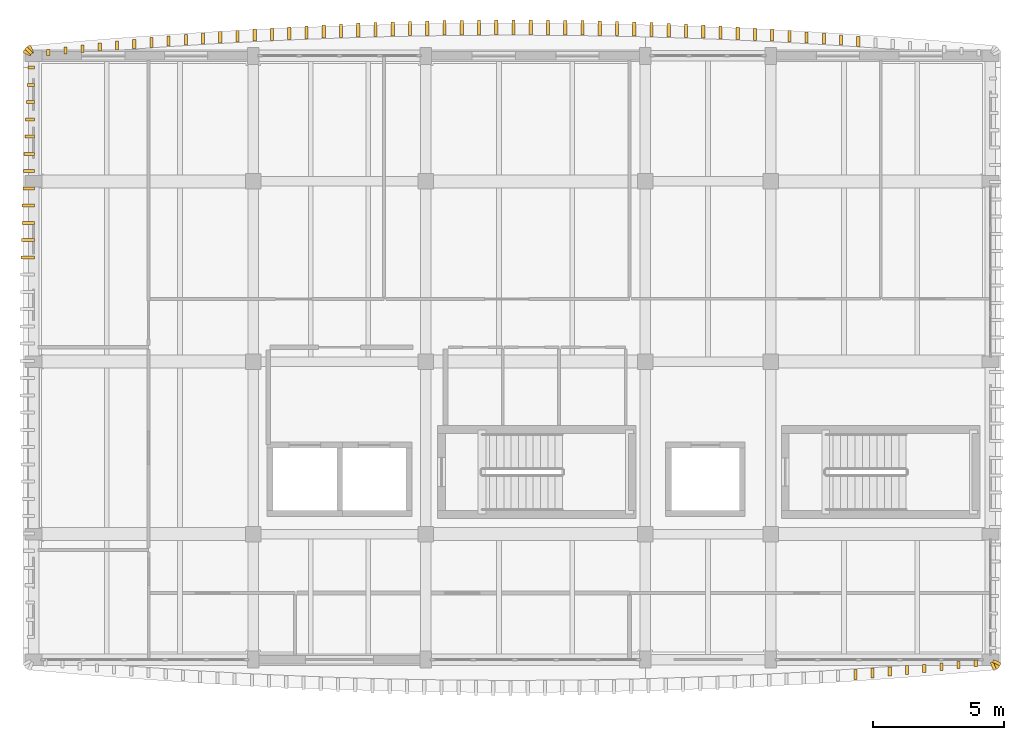
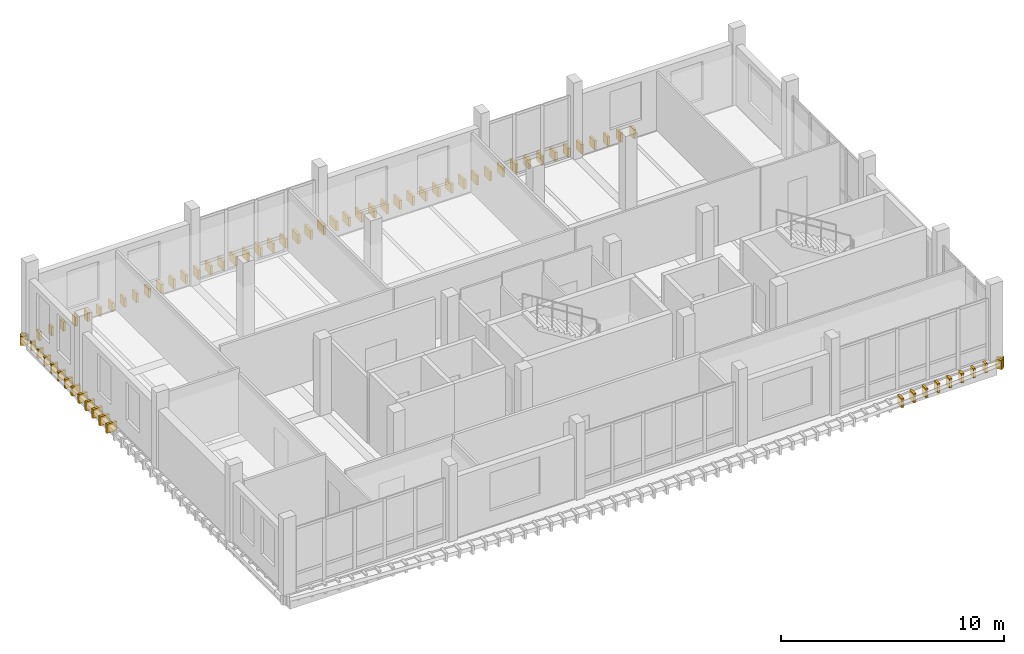
# One storey, part 15 of 16: 74 coverings.
"""IFC4 building model written with IfcOpenShell, lengths in metres."""

import ifcopenshell
import ifcopenshell.guid

model = None  # the IFC model being written
_history = None  # IfcOwnerHistory: only IFC2X3 demands one
_inside = {}  # id of a spatial element -> (the spatial element, [elements in it])
_under = {}  # id of a project, library or spatial element -> (it, [spatial elements below it])
_declared = {}  # id of a project -> (the project, [libraries it declares])
_typed = {}  # id of a type object -> (the type object, [elements of that type])
_made_of = {}  # id of a material, layer set ... -> (it, [elements and type objects made of it])


def new_model(schema):
    """Start an empty IFC model of exactly this schema.

    Asked for "IFC4X3", IfcOpenShell would pick the latest addendum, in which some entities
    have other attributes; the version numbers below select the first issue.
    IFC2X3 requires an IfcOwnerHistory on every rooted entity: one is made here for all.
    """
    global model, _history
    if schema == "IFC4X3":
        model = ifcopenshell.file(schema_version=(4, 3, 0, 0))
    else:
        model = ifcopenshell.file(schema=schema)
    _inside.clear()
    _under.clear()
    _declared.clear()
    _typed.clear()
    _made_of.clear()
    _history = None
    if model.schema == "IFC2X3":
        org = make("IfcOrganization", Name="unknown")
        user = make(
            "IfcPersonAndOrganization",
            ThePerson=make("IfcPerson", FamilyName="unknown"),
            TheOrganization=org,
        )
        app = make(
            "IfcApplication",
            ApplicationDeveloper=org,
            Version="unknown",
            ApplicationFullName="unknown",
            ApplicationIdentifier="unknown",
        )
        _history = make(
            "IfcOwnerHistory",
            OwningUser=user,
            OwningApplication=app,
            ChangeAction="ADDED",
            CreationDate=0,
        )
    return model


def make(cls, **values):
    """One entity of the class cls with the attributes given. An attribute that is None is left unset."""
    return model.create_entity(
        cls, **{name: value for name, value in values.items() if value is not None}
    )


def rooted(cls, **values):
    """An entity with a GlobalId (a new one), such as an element, a storey or a relation."""
    return make(cls, GlobalId=ifcopenshell.guid.new(), OwnerHistory=_history, **values)


def si_unit(unit_type, name, prefix=None):
    """IfcSIUnit, for example si_unit("LENGTHUNIT", "METRE", prefix="MILLI")."""
    return make("IfcSIUnit", UnitType=unit_type, Prefix=prefix, Name=name)


def assignment(units):
    """IfcUnitAssignment: the units of a project."""
    return None if units is None else make("IfcUnitAssignment", Units=units)


def point(xyz):
    """IfcCartesianPoint."""
    return None if xyz is None else make("IfcCartesianPoint", Coordinates=xyz)


def direction(xyz):
    """IfcDirection."""
    return None if xyz is None else make("IfcDirection", DirectionRatios=xyz)


def frame(location, z_axis=None, x_axis=None):
    """IfcAxis2Placement3D, a coordinate frame: its origin and axes. An axis left out is left unset."""
    return make(
        "IfcAxis2Placement3D",
        Location=point(location),
        Axis=direction(z_axis),
        RefDirection=direction(x_axis),
    )


def frame_2d(location, x_axis=None):
    """IfcAxis2Placement2D, a coordinate frame in the plane: its origin and x axis."""
    return make(
        "IfcAxis2Placement2D", Location=point(location), RefDirection=direction(x_axis)
    )


def origin():
    """The frame at (0, 0, 0) with its axes left unset."""
    return frame((0.0, 0.0, 0.0))


def origin_2d():
    """The frame at (0, 0) in the plane with its x axis left unset."""
    return frame_2d((0.0, 0.0))


def place(relative_to, where):
    """IfcLocalPlacement: puts the frame where relative to a parent placement (None: the world)."""
    return make(
        "IfcLocalPlacement", PlacementRelTo=relative_to, RelativePlacement=where
    )


def context(
    kind, dimensions, precision=None, world=None, true_north=None, identifier=None
):
    """IfcGeometricRepresentationContext, for example the 3D "Model" context."""
    return make(
        "IfcGeometricRepresentationContext",
        ContextIdentifier=identifier,
        ContextType=kind,
        CoordinateSpaceDimension=dimensions,
        Precision=precision,
        WorldCoordinateSystem=world,
        TrueNorth=true_north,
    )


def subcontext(parent, identifier, kind, view, scale=None):
    """IfcGeometricRepresentationSubContext, for example "Body" below "Model"."""
    return make(
        "IfcGeometricRepresentationSubContext",
        ContextIdentifier=identifier,
        ContextType=kind,
        ParentContext=parent,
        TargetScale=scale,
        TargetView=view,
    )


def project(units=None, contexts=None):
    """IfcProject with its units and contexts."""
    return rooted(
        "IfcProject",
        Name="project",
        RepresentationContexts=contexts,
        UnitsInContext=assignment(units),
    )


def spatial(cls, under=None, at=None, **own):
    """A site, building, storey or space (cls), placed at a placement, below another one or the project."""
    s = rooted(cls, ObjectPlacement=at, **own)
    if under is not None:
        _under.setdefault(under.id(), (under, []))[1].append(s)
    return s


def profile(cls, at=None, kind="AREA", **sizes):
    """A parametric profile (cls). Its sizes go by their IFC names, for example OverallWidth=200.0."""
    return make(cls, ProfileType=kind, Position=at, **sizes)


def rectangle(**sizes):
    """IfcRectangleProfileDef."""
    return profile("IfcRectangleProfileDef", **sizes)


def extrude(swept, where, along, depth):
    """IfcExtrudedAreaSolid: the profile swept, set in the frame where, extruded along a direction by depth."""
    return make(
        "IfcExtrudedAreaSolid",
        SweptArea=swept,
        Position=where,
        ExtrudedDirection=direction(along),
        Depth=depth,
    )


def shape(context_of_items, identifier, shape_type, items):
    """IfcShapeRepresentation: the items that make up one representation, for example the "Body"."""
    return make(
        "IfcShapeRepresentation",
        ContextOfItems=context_of_items,
        RepresentationIdentifier=identifier,
        RepresentationType=shape_type,
        Items=items,
    )


def material(Name=None, Category=None):
    """IfcMaterial."""
    return make("IfcMaterial", Name=Name, Category=Category)


def layer(
    of_material, thickness, ventilated=None, Name=None, Category=None, Priority=None
):
    """IfcMaterialLayer: one layer of a wall or slab, of a material (None: an air gap)."""
    return make(
        "IfcMaterialLayer",
        Material=of_material,
        LayerThickness=thickness,
        IsVentilated=ventilated,
        Name=Name,
        Category=Category,
        Priority=Priority,
    )


def layer_set(layers, Name=None):
    """IfcMaterialLayerSet."""
    return make("IfcMaterialLayerSet", MaterialLayers=layers, LayerSetName=Name)


def made_of(thing, what):
    """Note that an element or type object is made of a material, layer set ...; save() writes the relation."""
    if what is not None:
        _made_of.setdefault(what.id(), (what, []))[1].append(thing)
    return thing


def type_object(cls, material=None, **own):
    """A type object (cls), such as IfcWallType, which elements share."""
    return made_of(rooted(cls, **own), material)


def element(
    cls,
    number,
    at=None,
    inside=None,
    cuts=None,
    type_object=None,
    material=None,
    context=None,
    identifier="Body",
    shape_type=None,
    held_by="IfcProductDefinitionShape",
    body=None,
    shapes=None,
    **own,
):
    """One element of the class cls, such as IfcWall. Its Tag is "e" and its number.

    at: its placement. inside: the storey or other place that contains it. cuts: it is an
    opening in that element (IfcRelVoidsElement). A single representation is given by context,
    identifier, shape_type and body (its items); several are given by shapes. held_by: the class
    of the entity that holds the representations. save() writes the other relations.
    """
    e = rooted(cls, Tag="e%d" % number, ObjectPlacement=at, **own)
    if body is not None:
        shapes = [shape(context, identifier, shape_type, body)]
    if shapes is not None:
        e.Representation = make(held_by, Representations=shapes)
    if inside is not None:
        _inside.setdefault(inside.id(), (inside, []))[1].append(e)
    if cuts is not None:
        rooted(
            "IfcRelVoidsElement", RelatingBuildingElement=cuts, RelatedOpeningElement=e
        )
    if type_object is not None:
        _typed.setdefault(type_object.id(), (type_object, []))[1].append(e)
    return made_of(e, material)


def aggregate(whole, parts):
    """IfcRelAggregates: a whole, such as a stair, and the parts it consists of."""
    return rooted("IfcRelAggregates", RelatingObject=whole, RelatedObjects=parts)


def save(model, path):
    """Write the relations noted so far, then the file.

    IfcRelAggregates (storeys below a building ...), IfcRelContainedInSpatialStructure (elements
    in a storey), IfcRelDefinesByType, IfcRelAssociatesMaterial and IfcRelDeclares: one each for
    every whole, place, type object, material and project.
    """
    for whole, parts in _under.values():
        aggregate(whole, parts)
    for where, things in _inside.values():
        rooted(
            "IfcRelContainedInSpatialStructure",
            RelatedElements=things,
            RelatingStructure=where,
        )
    for kind, things in _typed.values():
        rooted("IfcRelDefinesByType", RelatedObjects=things, RelatingType=kind)
    for what, things in _made_of.values():
        rooted("IfcRelAssociatesMaterial", RelatedObjects=things, RelatingMaterial=what)
    for by, libraries in _declared.values():
        rooted("IfcRelDeclares", RelatingContext=by, RelatedDefinitions=libraries)
    model.write(path)


model = new_model("IFC4")

# Units and contexts
model_context = context("Model", 3, precision=1e-05, world=origin(), true_north=direction((0.0, 1.0)))
body_context = subcontext(model_context, "Body", "Model", "MODEL_VIEW")
ifc_project = project(units=[si_unit("LENGTHUNIT", "METRE"), si_unit("AREAUNIT", "SQUARE_METRE"), si_unit("VOLUMEUNIT", "CUBIC_METRE"), si_unit("PLANEANGLEUNIT", "RADIAN"), si_unit("MASSUNIT", "GRAM", prefix="KILO")], contexts=[model_context])

# Site, building, storey
site_placement = place(None, origin())
site = spatial("IfcSite", under=ifc_project, at=site_placement, CompositionType="ELEMENT")
building_placement = place(site_placement, origin())
building = spatial("IfcBuilding", under=site, at=building_placement, Name="Dornvale Research Institute", CompositionType="ELEMENT")
storey_placement = place(building_placement, frame((0.0, 0.0, 38.39990234375)))
storey = spatial("IfcBuildingStorey", under=building, at=storey_placement, Name="L08", CompositionType="ELEMENT", Elevation=38.39990234375)

# Coverings
ifc_material = material(Name="Polychrome Glazed Terracotta Visor Rib Ceramic", Category="masonry")
ifc_layer = layer(ifc_material, 0.1201171875)
ifc_layer_set = layer_set([ifc_layer], Name="Polychrome Glazed Terracotta Visor Rib Ceramic")
covering_type = type_object("IfcCoveringType", Name="Covering_VisorBlade_Main", PredefinedType="CLADDING", material=ifc_layer_set)
covering_1_placement = place(storey_placement, frame((36.23388671875, 98.43603515625, -0.489990234375), z_axis=(0.0, 0.0, 1.0), x_axis=(0.0, 1.0, 0.0)))
element("IfcCovering", 1, at=covering_1_placement, inside=storey, type_object=covering_type, Name="L08 V5 canted glazed terracotta visor blade #1392", PredefinedType="CLADDING", context=body_context, shape_type="SweptSolid", body=[
    extrude(rectangle(XDim=0.385009765625, YDim=0.1201171875, at=origin_2d()), origin(), (0.0, 0.0, 1.0), 0.5),
])
covering_2_placement = place(storey_placement, frame((36.892333984375, 98.49072265625, -0.489990234375), z_axis=(0.0, 0.0, 1.0), x_axis=(0.0, 1.0, 0.0)))
element("IfcCovering", 2, at=covering_2_placement, inside=storey, type_object=covering_type, Name="L08 V5 canted glazed terracotta visor blade #1393", PredefinedType="CLADDING", context=body_context, shape_type="SweptSolid", body=[
    extrude(rectangle(XDim=0.366943359375, YDim=0.1201171875, at=origin_2d()), origin(), (0.0, 0.0, 1.0), 0.5),
])
covering_3_placement = place(storey_placement, frame((37.55078125, 98.547607421875, -0.489990234375), z_axis=(0.0, 0.0, 1.0), x_axis=(0.0, 1.0, 0.0)))
element("IfcCovering", 3, at=covering_3_placement, inside=storey, type_object=covering_type, Name="L08 V5 canted glazed terracotta visor blade #1394", PredefinedType="CLADDING", context=body_context, shape_type="SweptSolid", body=[
    extrude(rectangle(XDim=0.347900390625, YDim=0.1201171875, at=origin_2d()), origin(), (0.0, 0.0, 1.0), 0.5),
])
covering_4_placement = place(storey_placement, frame((38.208984375, 98.60595703125, -0.489990234375), z_axis=(0.0, 0.0, 1.0), x_axis=(0.0, 1.0, 0.0)))
element("IfcCovering", 4, at=covering_4_placement, inside=storey, type_object=covering_type, Name="L08 V5 canted glazed terracotta visor blade #1395", PredefinedType="CLADDING", context=body_context, shape_type="SweptSolid", body=[
    extrude(rectangle(XDim=0.327880859375, YDim=0.1201171875, at=origin_2d()), origin(), (0.0, 0.0, 1.0), 0.5),
])
covering_5_placement = place(storey_placement, frame((38.866943359375, 98.668701171875, -0.489990234375), z_axis=(0.0, 0.0, 1.0), x_axis=(0.0, 1.0, 0.0)))
element("IfcCovering", 5, at=covering_5_placement, inside=storey, type_object=covering_type, Name="L08 V5 canted glazed terracotta visor blade #1396", PredefinedType="CLADDING", context=body_context, shape_type="SweptSolid", body=[
    extrude(rectangle(XDim=0.30810546875, YDim=0.1201171875, at=origin_2d()), origin(), (0.0, 0.0, 1.0), 0.5),
])
covering_6_placement = place(storey_placement, frame((39.524658203125, 98.732421875, -0.489990234375), z_axis=(0.0, 0.0, 1.0), x_axis=(0.0, 1.0, 0.0)))
element("IfcCovering", 6, at=covering_6_placement, inside=storey, type_object=covering_type, Name="L08 V5 canted glazed terracotta visor blade #1397", PredefinedType="CLADDING", context=body_context, shape_type="SweptSolid", body=[
    extrude(rectangle(XDim=0.285888671875, YDim=0.1201171875, at=origin_2d()), origin(), (0.0, 0.0, 1.0), 0.5),
])
covering_7_placement = place(storey_placement, frame((40.182373046875, 98.800048828125, -0.489990234375), z_axis=(0.0, 0.0, 1.0), x_axis=(0.0, 1.0, 0.0)))
element("IfcCovering", 7, at=covering_7_placement, inside=storey, type_object=covering_type, Name="L08 V5 canted glazed terracotta visor blade #1398", PredefinedType="CLADDING", context=body_context, shape_type="SweptSolid", body=[
    extrude(rectangle(XDim=0.263916015625, YDim=0.1201171875, at=origin_2d()), origin(), (0.0, 0.0, 1.0), 0.5),
])
covering_8_placement = place(storey_placement, frame((40.839599609375, 98.869873046875, -0.489990234375), z_axis=(0.0, 0.0, 1.0), x_axis=(0.0, 1.0, 0.0)))
element("IfcCovering", 8, at=covering_8_placement, inside=storey, type_object=covering_type, Name="L08 V5 canted glazed terracotta visor blade #1399", PredefinedType="CLADDING", context=body_context, shape_type="SweptSolid", body=[
    extrude(rectangle(XDim=0.240966796875, YDim=0.1201171875, at=origin_2d()), origin(), (0.0, 0.0, 1.0), 0.5),
])
covering_9_placement = place(storey_placement, frame((36.34619140625, 122.655517578125, -0.489990234375), z_axis=(0.0, 0.0, 1.0), x_axis=(0.0, 1.0, 0.0)))
element("IfcCovering", 9, at=covering_9_placement, inside=storey, type_object=covering_type, Name="L08 V5 canted glazed terracotta visor blade #1407", PredefinedType="CLADDING", context=body_context, shape_type="SweptSolid", body=[
    extrude(rectangle(XDim=0.382080078125, YDim=0.1201171875, at=origin_2d()), origin(), (0.0, 0.0, 1.0), 0.5),
])
covering_10_placement = place(storey_placement, frame((35.6875, 122.70556640625, -0.489990234375), z_axis=(0.0, 0.0, 1.0), x_axis=(0.0, 1.0, 0.0)))
element("IfcCovering", 10, at=covering_10_placement, inside=storey, type_object=covering_type, Name="L08 V5 canted glazed terracotta visor blade #1408", PredefinedType="CLADDING", context=body_context, shape_type="SweptSolid", body=[
    extrude(rectangle(XDim=0.39892578125, YDim=0.1201171875, at=origin_2d()), origin(), (0.0, 0.0, 1.0), 0.5),
])
covering_11_placement = place(storey_placement, frame((35.02880859375, 122.755859375, -0.489990234375), z_axis=(0.0, 0.0, 1.0), x_axis=(0.0, 1.0, 0.0)))
element("IfcCovering", 11, at=covering_11_placement, inside=storey, type_object=covering_type, Name="L08 V5 canted glazed terracotta visor blade #1409", PredefinedType="CLADDING", context=body_context, shape_type="SweptSolid", body=[
    extrude(rectangle(XDim=0.416015625, YDim=0.1201171875, at=origin_2d()), origin(), (0.0, 0.0, 1.0), 0.5),
])
covering_12_placement = place(storey_placement, frame((34.3701171875, 122.802001953125, -0.489990234375), z_axis=(0.0, 0.0, 1.0), x_axis=(0.0, 1.0, 0.0)))
element("IfcCovering", 12, at=covering_12_placement, inside=storey, type_object=covering_type, Name="L08 V5 canted glazed terracotta visor blade #1410", PredefinedType="CLADDING", context=body_context, shape_type="SweptSolid", body=[
    extrude(rectangle(XDim=0.430908203125, YDim=0.1201171875, at=origin_2d()), origin(), (0.0, 0.0, 1.0), 0.5),
])
covering_13_placement = place(storey_placement, frame((33.7109375, 122.845703125, -0.489990234375), z_axis=(0.0, 0.0, 1.0), x_axis=(0.0, 1.0, 0.0)))
element("IfcCovering", 13, at=covering_13_placement, inside=storey, type_object=covering_type, Name="L08 V5 canted glazed terracotta visor blade #1411", PredefinedType="CLADDING", context=body_context, shape_type="SweptSolid", body=[
    extrude(rectangle(XDim=0.446044921875, YDim=0.1201171875, at=origin_2d()), origin(), (0.0, 0.0, 1.0), 0.5),
])
covering_14_placement = place(storey_placement, frame((33.052001953125, 122.888427734375, -0.489990234375), z_axis=(0.0, 0.0, 1.0), x_axis=(0.0, 1.0, 0.0)))
element("IfcCovering", 14, at=covering_14_placement, inside=storey, type_object=covering_type, Name="L08 V5 canted glazed terracotta visor blade #1412", PredefinedType="CLADDING", context=body_context, shape_type="SweptSolid", body=[
    extrude(rectangle(XDim=0.4599609375, YDim=0.1201171875, at=origin_2d()), origin(), (0.0, 0.0, 1.0), 0.5),
])
covering_15_placement = place(storey_placement, frame((32.392578125, 122.925537109375, -0.489990234375), z_axis=(0.0, 0.0, 1.0), x_axis=(0.0, 1.0, 0.0)))
element("IfcCovering", 15, at=covering_15_placement, inside=storey, type_object=covering_type, Name="L08 V5 canted glazed terracotta visor blade #1413", PredefinedType="CLADDING", context=body_context, shape_type="SweptSolid", body=[
    extrude(rectangle(XDim=0.472900390625, YDim=0.1201171875, at=origin_2d()), origin(), (0.0, 0.0, 1.0), 0.5),
])
covering_16_placement = place(storey_placement, frame((31.7333984375, 122.9619140625, -0.489990234375), z_axis=(0.0, 0.0, 1.0), x_axis=(0.0, 1.0, 0.0)))
element("IfcCovering", 16, at=covering_16_placement, inside=storey, type_object=covering_type, Name="L08 V5 canted glazed terracotta visor blade #1414", PredefinedType="CLADDING", context=body_context, shape_type="SweptSolid", body=[
    extrude(rectangle(XDim=0.48388671875, YDim=0.1201171875, at=origin_2d()), origin(), (0.0, 0.0, 1.0), 0.5),
])
covering_17_placement = place(storey_placement, frame((31.073974609375, 122.99560546875, -0.489990234375), z_axis=(0.0, 0.0, 1.0), x_axis=(0.0, 1.0, 0.0)))
element("IfcCovering", 17, at=covering_17_placement, inside=storey, type_object=covering_type, Name="L08 V5 canted glazed terracotta visor blade #1415", PredefinedType="CLADDING", context=body_context, shape_type="SweptSolid", body=[
    extrude(rectangle(XDim=0.49609375, YDim=0.1201171875, at=origin_2d()), origin(), (0.0, 0.0, 1.0), 0.5),
])
covering_18_placement = place(storey_placement, frame((30.41455078125, 123.025390625, -0.489990234375), z_axis=(0.0, 0.0, 1.0), x_axis=(0.0, 1.0, 0.0)))
element("IfcCovering", 18, at=covering_18_placement, inside=storey, type_object=covering_type, Name="L08 V5 canted glazed terracotta visor blade #1416", PredefinedType="CLADDING", context=body_context, shape_type="SweptSolid", body=[
    extrude(rectangle(XDim=0.506103515625, YDim=0.1201171875, at=origin_2d()), origin(), (0.0, 0.0, 1.0), 0.5),
])
covering_19_placement = place(storey_placement, frame((29.7548828125, 123.05517578125, -0.489990234375), z_axis=(0.0, 0.0, 1.0), x_axis=(0.0, 1.0, 0.0)))
element("IfcCovering", 19, at=covering_19_placement, inside=storey, type_object=covering_type, Name="L08 V5 canted glazed terracotta visor blade #1417", PredefinedType="CLADDING", context=body_context, shape_type="SweptSolid", body=[
    extrude(rectangle(XDim=0.514892578125, YDim=0.1201171875, at=origin_2d()), origin(), (0.0, 0.0, 1.0), 0.5),
])
covering_20_placement = place(storey_placement, frame((29.09521484375, 123.0791015625, -0.489990234375), z_axis=(0.0, 0.0, 1.0), x_axis=(0.0, 1.0, 0.0)))
element("IfcCovering", 20, at=covering_20_placement, inside=storey, type_object=covering_type, Name="L08 V5 canted glazed terracotta visor blade #1418", PredefinedType="CLADDING", context=body_context, shape_type="SweptSolid", body=[
    extrude(rectangle(XDim=0.52392578125, YDim=0.1201171875, at=origin_2d()), origin(), (0.0, 0.0, 1.0), 0.5),
])
covering_21_placement = place(storey_placement, frame((28.435546875, 123.10205078125, -0.489990234375), z_axis=(0.0, 0.0, 1.0), x_axis=(0.0, 1.0, 0.0)))
element("IfcCovering", 21, at=covering_21_placement, inside=storey, type_object=covering_type, Name="L08 V5 canted glazed terracotta visor blade #1419", PredefinedType="CLADDING", context=body_context, shape_type="SweptSolid", body=[
    extrude(rectangle(XDim=0.531005859375, YDim=0.1201171875, at=origin_2d()), origin(), (0.0, 0.0, 1.0), 0.5),
])
covering_22_placement = place(storey_placement, frame((27.77587890625, 123.122314453125, -0.489990234375), z_axis=(0.0, 0.0, 1.0), x_axis=(0.0, 1.0, 0.0)))
element("IfcCovering", 22, at=covering_22_placement, inside=storey, type_object=covering_type, Name="L08 V5 canted glazed terracotta visor blade #1420", PredefinedType="CLADDING", context=body_context, shape_type="SweptSolid", body=[
    extrude(rectangle(XDim=0.5380859375, YDim=0.1201171875, at=origin_2d()), origin(), (0.0, 0.0, 1.0), 0.5),
])
covering_23_placement = place(storey_placement, frame((27.115966796875, 123.139404296875, -0.489990234375), z_axis=(0.0, 0.0, 1.0), x_axis=(0.0, 1.0, 0.0)))
element("IfcCovering", 23, at=covering_23_placement, inside=storey, type_object=covering_type, Name="L08 V5 canted glazed terracotta visor blade #1421", PredefinedType="CLADDING", context=body_context, shape_type="SweptSolid", body=[
    extrude(rectangle(XDim=0.5439453125, YDim=0.1201171875, at=origin_2d()), origin(), (0.0, 0.0, 1.0), 0.5),
])
covering_24_placement = place(storey_placement, frame((26.4560546875, 123.15576171875, -0.489990234375), z_axis=(0.0, 0.0, 1.0), x_axis=(0.0, 1.0, 0.0)))
element("IfcCovering", 24, at=covering_24_placement, inside=storey, type_object=covering_type, Name="L08 V5 canted glazed terracotta visor blade #1422", PredefinedType="CLADDING", context=body_context, shape_type="SweptSolid", body=[
    extrude(rectangle(XDim=0.549072265625, YDim=0.1201171875, at=origin_2d()), origin(), (0.0, 0.0, 1.0), 0.5),
])
covering_25_placement = place(storey_placement, frame((25.796142578125, 123.16650390625, -0.489990234375), z_axis=(0.0, 0.0, 1.0), x_axis=(0.0, 1.0, 0.0)))
element("IfcCovering", 25, at=covering_25_placement, inside=storey, type_object=covering_type, Name="L08 V5 canted glazed terracotta visor blade #1423", PredefinedType="CLADDING", context=body_context, shape_type="SweptSolid", body=[
    extrude(rectangle(XDim=0.552978515625, YDim=0.1201171875, at=origin_2d()), origin(), (0.0, 0.0, 1.0), 0.5),
])
covering_26_placement = place(storey_placement, frame((25.13623046875, 123.17626953125, -0.489990234375), z_axis=(0.0, 0.0, 1.0), x_axis=(0.0, 1.0, 0.0)))
element("IfcCovering", 26, at=covering_26_placement, inside=storey, type_object=covering_type, Name="L08 V5 canted glazed terracotta visor blade #1424", PredefinedType="CLADDING", context=body_context, shape_type="SweptSolid", body=[
    extrude(rectangle(XDim=0.555908203125, YDim=0.1201171875, at=origin_2d()), origin(), (0.0, 0.0, 1.0), 0.5),
])
covering_27_placement = place(storey_placement, frame((24.476318359375, 123.18310546875, -0.489990234375), z_axis=(0.0, 0.0, 1.0), x_axis=(0.0, 1.0, 0.0)))
element("IfcCovering", 27, at=covering_27_placement, inside=storey, type_object=covering_type, Name="L08 V5 canted glazed terracotta visor blade #1425", PredefinedType="CLADDING", context=body_context, shape_type="SweptSolid", body=[
    extrude(rectangle(XDim=0.55810546875, YDim=0.1201171875, at=origin_2d()), origin(), (0.0, 0.0, 1.0), 0.5),
])
covering_28_placement = place(storey_placement, frame((23.816162109375, 123.1865234375, -0.489990234375), z_axis=(0.0, 0.0, 1.0), x_axis=(0.0, 1.0, 0.0)))
element("IfcCovering", 28, at=covering_28_placement, inside=storey, type_object=covering_type, Name="L08 V5 canted glazed terracotta visor blade #1426", PredefinedType="CLADDING", context=body_context, shape_type="SweptSolid", body=[
    extrude(rectangle(XDim=0.55908203125, YDim=0.1201171875, at=origin_2d()), origin(), (0.0, 0.0, 1.0), 0.5),
])
for number, where, z_axis, x_axis, name in (
    (29, (23.15625, 123.189697265625, -0.489990234375), (0.0, 0.0, 1.0), (0.0, 1.0, 0.0), "L08 V5 canted glazed terracotta visor blade #1427"),
    (30, (22.49609375, 123.1875, -0.489990234375), (0.0, 0.0, 1.0), (0.0, 1.0, 0.0), "L08 V5 canted glazed terracotta visor blade #1428"),
):
    element("IfcCovering", number, at=place(storey_placement, frame(where, z_axis=z_axis, x_axis=x_axis)), inside=storey, type_object=covering_type, Name=name, PredefinedType="CLADDING", context=body_context, shape_type="SweptSolid", body=[
        extrude(rectangle(XDim=0.56005859375, YDim=0.1201171875, at=origin_2d()), origin(), (0.0, 0.0, 1.0), 0.5),
    ])
covering_29_placement = place(storey_placement, frame((21.836181640625, 123.18359375, -0.489990234375), z_axis=(0.0, 0.0, 1.0), x_axis=(0.0, 1.0, 0.0)))
element("IfcCovering", 31, at=covering_29_placement, inside=storey, type_object=covering_type, Name="L08 V5 canted glazed terracotta visor blade #1429", PredefinedType="CLADDING", context=body_context, shape_type="SweptSolid", body=[
    extrude(rectangle(XDim=0.55810546875, YDim=0.1201171875, at=origin_2d()), origin(), (0.0, 0.0, 1.0), 0.5),
])
covering_30_placement = place(storey_placement, frame((21.17626953125, 123.177734375, -0.489990234375), z_axis=(0.0, 0.0, 1.0), x_axis=(0.0, 1.0, 0.0)))
element("IfcCovering", 32, at=covering_30_placement, inside=storey, type_object=covering_type, Name="L08 V5 canted glazed terracotta visor blade #1430", PredefinedType="CLADDING", context=body_context, shape_type="SweptSolid", body=[
    extrude(rectangle(XDim=0.555908203125, YDim=0.1201171875, at=origin_2d()), origin(), (0.0, 0.0, 1.0), 0.5),
])
covering_31_placement = place(storey_placement, frame((20.516357421875, 123.167724609375, -0.489990234375), z_axis=(0.0, 0.0, 1.0), x_axis=(0.0, 1.0, 0.0)))
element("IfcCovering", 33, at=covering_31_placement, inside=storey, type_object=covering_type, Name="L08 V5 canted glazed terracotta visor blade #1431", PredefinedType="CLADDING", context=body_context, shape_type="SweptSolid", body=[
    extrude(rectangle(XDim=0.552978515625, YDim=0.1201171875, at=origin_2d()), origin(), (0.0, 0.0, 1.0), 0.5),
])
covering_32_placement = place(storey_placement, frame((19.8564453125, 123.157470703125, -0.489990234375), z_axis=(0.0, 0.0, 1.0), x_axis=(0.0, 1.0, 0.0)))
element("IfcCovering", 34, at=covering_32_placement, inside=storey, type_object=covering_type, Name="L08 V5 canted glazed terracotta visor blade #1432", PredefinedType="CLADDING", context=body_context, shape_type="SweptSolid", body=[
    extrude(rectangle(XDim=0.549072265625, YDim=0.1201171875, at=origin_2d()), origin(), (0.0, 0.0, 1.0), 0.5),
])
covering_33_placement = place(storey_placement, frame((19.196533203125, 123.14208984375, -0.489990234375), z_axis=(0.0, 0.0, 1.0), x_axis=(0.0, 1.0, 0.0)))
element("IfcCovering", 35, at=covering_33_placement, inside=storey, type_object=covering_type, Name="L08 V5 canted glazed terracotta visor blade #1433", PredefinedType="CLADDING", context=body_context, shape_type="SweptSolid", body=[
    extrude(rectangle(XDim=0.544921875, YDim=0.1201171875, at=origin_2d()), origin(), (0.0, 0.0, 1.0), 0.5),
])
covering_34_placement = place(storey_placement, frame((18.53662109375, 123.125244140625, -0.489990234375), z_axis=(0.0, 0.0, 1.0), x_axis=(0.0, 1.0, 0.0)))
element("IfcCovering", 36, at=covering_34_placement, inside=storey, type_object=covering_type, Name="L08 V5 canted glazed terracotta visor blade #1434", PredefinedType="CLADDING", context=body_context, shape_type="SweptSolid", body=[
    extrude(rectangle(XDim=0.5390625, YDim=0.1201171875, at=origin_2d()), origin(), (0.0, 0.0, 1.0), 0.5),
])
covering_35_placement = place(storey_placement, frame((17.876953125, 123.10595703125, -0.489990234375), z_axis=(0.0, 0.0, 1.0), x_axis=(0.0, 1.0, 0.0)))
element("IfcCovering", 37, at=covering_35_placement, inside=storey, type_object=covering_type, Name="L08 V5 canted glazed terracotta visor blade #1435", PredefinedType="CLADDING", context=body_context, shape_type="SweptSolid", body=[
    extrude(rectangle(XDim=0.531982421875, YDim=0.1201171875, at=origin_2d()), origin(), (0.0, 0.0, 1.0), 0.5),
])
covering_36_placement = place(storey_placement, frame((17.217041015625, 123.0830078125, -0.489990234375), z_axis=(0.0, 0.0, 1.0), x_axis=(0.0, 1.0, 0.0)))
element("IfcCovering", 38, at=covering_36_placement, inside=storey, type_object=covering_type, Name="L08 V5 canted glazed terracotta visor blade #1436", PredefinedType="CLADDING", context=body_context, shape_type="SweptSolid", body=[
    extrude(rectangle(XDim=0.52490234375, YDim=0.1201171875, at=origin_2d()), origin(), (0.0, 0.0, 1.0), 0.5),
])
covering_37_placement = place(storey_placement, frame((16.557373046875, 123.059326171875, -0.489990234375), z_axis=(0.0, 0.0, 1.0), x_axis=(0.0, 1.0, 0.0)))
element("IfcCovering", 39, at=covering_37_placement, inside=storey, type_object=covering_type, Name="L08 V5 canted glazed terracotta visor blade #1437", PredefinedType="CLADDING", context=body_context, shape_type="SweptSolid", body=[
    extrude(rectangle(XDim=0.51708984375, YDim=0.1201171875, at=origin_2d()), origin(), (0.0, 0.0, 1.0), 0.5),
])
covering_38_placement = place(storey_placement, frame((15.89794921875, 123.0302734375, -0.489990234375), z_axis=(0.0, 0.0, 1.0), x_axis=(0.0, 1.0, 0.0)))
element("IfcCovering", 40, at=covering_38_placement, inside=storey, type_object=covering_type, Name="L08 V5 canted glazed terracotta visor blade #1438", PredefinedType="CLADDING", context=body_context, shape_type="SweptSolid", body=[
    extrude(rectangle(XDim=0.507080078125, YDim=0.1201171875, at=origin_2d()), origin(), (0.0, 0.0, 1.0), 0.5),
])
covering_39_placement = place(storey_placement, frame((15.23828125, 123.000244140625, -0.489990234375), z_axis=(0.0, 0.0, 1.0), x_axis=(0.0, 1.0, 0.0)))
element("IfcCovering", 41, at=covering_39_placement, inside=storey, type_object=covering_type, Name="L08 V5 canted glazed terracotta visor blade #1439", PredefinedType="CLADDING", context=body_context, shape_type="SweptSolid", body=[
    extrude(rectangle(XDim=0.4970703125, YDim=0.1201171875, at=origin_2d()), origin(), (0.0, 0.0, 1.0), 0.5),
])
covering_40_placement = place(storey_placement, frame((14.578857421875, 122.968017578125, -0.489990234375), z_axis=(0.0, 0.0, 1.0), x_axis=(0.0, 1.0, 0.0)))
element("IfcCovering", 42, at=covering_40_placement, inside=storey, type_object=covering_type, Name="L08 V5 canted glazed terracotta visor blade #1440", PredefinedType="CLADDING", context=body_context, shape_type="SweptSolid", body=[
    extrude(rectangle(XDim=0.486083984375, YDim=0.1201171875, at=origin_2d()), origin(), (0.0, 0.0, 1.0), 0.5),
])
covering_41_placement = place(storey_placement, frame((13.919677734375, 122.931884765625, -0.489990234375), z_axis=(0.0, 0.0, 1.0), x_axis=(0.0, 1.0, 0.0)))
element("IfcCovering", 43, at=covering_41_placement, inside=storey, type_object=covering_type, Name="L08 V5 canted glazed terracotta visor blade #1441", PredefinedType="CLADDING", context=body_context, shape_type="SweptSolid", body=[
    extrude(rectangle(XDim=0.47509765625, YDim=0.1201171875, at=origin_2d()), origin(), (0.0, 0.0, 1.0), 0.5),
])
covering_42_placement = place(storey_placement, frame((13.26025390625, 122.894775390625, -0.489990234375), z_axis=(0.0, 0.0, 1.0), x_axis=(0.0, 1.0, 0.0)))
element("IfcCovering", 44, at=covering_42_placement, inside=storey, type_object=covering_type, Name="L08 V5 canted glazed terracotta visor blade #1442", PredefinedType="CLADDING", context=body_context, shape_type="SweptSolid", body=[
    extrude(rectangle(XDim=0.4619140625, YDim=0.1201171875, at=origin_2d()), origin(), (0.0, 0.0, 1.0), 0.5),
])
covering_43_placement = place(storey_placement, frame((12.601318359375, 122.852783203125, -0.489990234375), z_axis=(0.0, 0.0, 1.0), x_axis=(0.0, 1.0, 0.0)))
element("IfcCovering", 45, at=covering_43_placement, inside=storey, type_object=covering_type, Name="L08 V5 canted glazed terracotta visor blade #1443", PredefinedType="CLADDING", context=body_context, shape_type="SweptSolid", body=[
    extrude(rectangle(XDim=0.447998046875, YDim=0.1201171875, at=origin_2d()), origin(), (0.0, 0.0, 1.0), 0.5),
])
covering_44_placement = place(storey_placement, frame((11.942138671875, 122.8095703125, -0.489990234375), z_axis=(0.0, 0.0, 1.0), x_axis=(0.0, 1.0, 0.0)))
element("IfcCovering", 46, at=covering_44_placement, inside=storey, type_object=covering_type, Name="L08 V5 canted glazed terracotta visor blade #1444", PredefinedType="CLADDING", context=body_context, shape_type="SweptSolid", body=[
    extrude(rectangle(XDim=0.43408203125, YDim=0.1201171875, at=origin_2d()), origin(), (0.0, 0.0, 1.0), 0.5),
])
covering_45_placement = place(storey_placement, frame((11.283203125, 122.763916015625, -0.489990234375), z_axis=(0.0, 0.0, 1.0), x_axis=(0.0, 1.0, 0.0)))
element("IfcCovering", 47, at=covering_45_placement, inside=storey, type_object=covering_type, Name="L08 V5 canted glazed terracotta visor blade #1445", PredefinedType="CLADDING", context=body_context, shape_type="SweptSolid", body=[
    extrude(rectangle(XDim=0.41796875, YDim=0.1201171875, at=origin_2d()), origin(), (0.0, 0.0, 1.0), 0.5),
])
covering_46_placement = place(storey_placement, frame((10.62451171875, 122.714111328125, -0.489990234375), z_axis=(0.0, 0.0, 1.0), x_axis=(0.0, 1.0, 0.0)))
element("IfcCovering", 48, at=covering_46_placement, inside=storey, type_object=covering_type, Name="L08 V5 canted glazed terracotta visor blade #1446", PredefinedType="CLADDING", context=body_context, shape_type="SweptSolid", body=[
    extrude(rectangle(XDim=0.402099609375, YDim=0.1201171875, at=origin_2d()), origin(), (0.0, 0.0, 1.0), 0.5),
])
covering_47_placement = place(storey_placement, frame((9.966064453125, 122.6640625, -0.489990234375), z_axis=(0.0, 0.0, 1.0), x_axis=(0.0, 1.0, 0.0)))
element("IfcCovering", 49, at=covering_47_placement, inside=storey, type_object=covering_type, Name="L08 V5 canted glazed terracotta visor blade #1447", PredefinedType="CLADDING", context=body_context, shape_type="SweptSolid", body=[
    extrude(rectangle(XDim=0.385009765625, YDim=0.1201171875, at=origin_2d()), origin(), (0.0, 0.0, 1.0), 0.5),
])
covering_48_placement = place(storey_placement, frame((9.3076171875, 122.609130859375, -0.489990234375), z_axis=(0.0, 0.0, 1.0), x_axis=(0.0, 1.0, 0.0)))
element("IfcCovering", 50, at=covering_48_placement, inside=storey, type_object=covering_type, Name="L08 V5 canted glazed terracotta visor blade #1448", PredefinedType="CLADDING", context=body_context, shape_type="SweptSolid", body=[
    extrude(rectangle(XDim=0.366943359375, YDim=0.1201171875, at=origin_2d()), origin(), (0.0, 0.0, 1.0), 0.5),
])
covering_49_placement = place(storey_placement, frame((8.649169921875, 122.552490234375, -0.489990234375), z_axis=(0.0, 0.0, 1.0), x_axis=(0.0, 1.0, 0.0)))
element("IfcCovering", 51, at=covering_49_placement, inside=storey, type_object=covering_type, Name="L08 V5 canted glazed terracotta visor blade #1449", PredefinedType="CLADDING", context=body_context, shape_type="SweptSolid", body=[
    extrude(rectangle(XDim=0.347900390625, YDim=0.1201171875, at=origin_2d()), origin(), (0.0, 0.0, 1.0), 0.5),
])
covering_50_placement = place(storey_placement, frame((7.990966796875, 122.494140625, -0.489990234375), z_axis=(0.0, 0.0, 1.0), x_axis=(0.0, 1.0, 0.0)))
element("IfcCovering", 52, at=covering_50_placement, inside=storey, type_object=covering_type, Name="L08 V5 canted glazed terracotta visor blade #1450", PredefinedType="CLADDING", context=body_context, shape_type="SweptSolid", body=[
    extrude(rectangle(XDim=0.327880859375, YDim=0.1201171875, at=origin_2d()), origin(), (0.0, 0.0, 1.0), 0.5),
])
covering_51_placement = place(storey_placement, frame((7.3330078125, 122.431396484375, -0.489990234375), z_axis=(0.0, 0.0, 1.0), x_axis=(0.0, 1.0, 0.0)))
element("IfcCovering", 53, at=covering_51_placement, inside=storey, type_object=covering_type, Name="L08 V5 canted glazed terracotta visor blade #1451", PredefinedType="CLADDING", context=body_context, shape_type="SweptSolid", body=[
    extrude(rectangle(XDim=0.30810546875, YDim=0.1201171875, at=origin_2d()), origin(), (0.0, 0.0, 1.0), 0.5),
])
covering_52_placement = place(storey_placement, frame((6.67529296875, 122.367431640625, -0.489990234375), z_axis=(0.0, 0.0, 1.0), x_axis=(0.0, 1.0, 0.0)))
element("IfcCovering", 54, at=covering_52_placement, inside=storey, type_object=covering_type, Name="L08 V5 canted glazed terracotta visor blade #1452", PredefinedType="CLADDING", context=body_context, shape_type="SweptSolid", body=[
    extrude(rectangle(XDim=0.285888671875, YDim=0.1201171875, at=origin_2d()), origin(), (0.0, 0.0, 1.0), 0.5),
])
covering_53_placement = place(storey_placement, frame((6.017578125, 122.300048828125, -0.489990234375), z_axis=(0.0, 0.0, 1.0), x_axis=(0.0, 1.0, 0.0)))
element("IfcCovering", 55, at=covering_53_placement, inside=storey, type_object=covering_type, Name="L08 V5 canted glazed terracotta visor blade #1453", PredefinedType="CLADDING", context=body_context, shape_type="SweptSolid", body=[
    extrude(rectangle(XDim=0.263916015625, YDim=0.1201171875, at=origin_2d()), origin(), (0.0, 0.0, 1.0), 0.5),
])
covering_54_placement = place(storey_placement, frame((5.3603515625, 122.230224609375, -0.489990234375), z_axis=(0.0, 0.0, 1.0), x_axis=(0.0, 1.0, 0.0)))
element("IfcCovering", 56, at=covering_54_placement, inside=storey, type_object=covering_type, Name="L08 V5 canted glazed terracotta visor blade #1454", PredefinedType="CLADDING", context=body_context, shape_type="SweptSolid", body=[
    extrude(rectangle(XDim=0.240966796875, YDim=0.1201171875, at=origin_2d()), origin(), (0.0, 0.0, 1.0), 0.5),
])
covering_55_placement = place(storey_placement, frame((4.717041015625, 121.64990234375, -0.489990234375), z_axis=(0.0, 0.0, 1.0), x_axis=(1.0, 0.0, 0.0)))
element("IfcCovering", 57, at=covering_55_placement, inside=storey, type_object=covering_type, Name="L08 V5 canted glazed terracotta visor blade #1489", PredefinedType="CLADDING", context=body_context, shape_type="SweptSolid", body=[
    extrude(rectangle(XDim=0.24609375, YDim=0.1201171875, at=origin_2d()), origin(), (0.0, 0.0, 1.0), 0.5),
])
covering_56_placement = place(storey_placement, frame((4.698974609375, 120.989990234375, -0.489990234375), z_axis=(0.0, 0.0, 1.0), x_axis=(1.0, 0.0, 0.0)))
element("IfcCovering", 58, at=covering_56_placement, inside=storey, type_object=covering_type, Name="L08 V5 canted glazed terracotta visor blade #1490", PredefinedType="CLADDING", context=body_context, shape_type="SweptSolid", body=[
    extrude(rectangle(XDim=0.281982421875, YDim=0.1201171875, at=origin_2d()), origin(), (0.0, 0.0, 1.0), 0.5),
])
covering_57_placement = place(storey_placement, frame((4.681884765625, 120.330078125, -0.489990234375), z_axis=(0.0, 0.0, 1.0), x_axis=(1.0, 0.0, 0.0)))
element("IfcCovering", 59, at=covering_57_placement, inside=storey, type_object=covering_type, Name="L08 V5 canted glazed terracotta visor blade #1491", PredefinedType="CLADDING", context=body_context, shape_type="SweptSolid", body=[
    extrude(rectangle(XDim=0.31591796875, YDim=0.1201171875, at=origin_2d()), origin(), (0.0, 0.0, 1.0), 0.5),
])
covering_58_placement = place(storey_placement, frame((4.666015625, 119.669921875, -0.489990234375), z_axis=(0.0, 0.0, 1.0), x_axis=(1.0, 0.0, 0.0)))
element("IfcCovering", 60, at=covering_58_placement, inside=storey, type_object=covering_type, Name="L08 V5 canted glazed terracotta visor blade #1492", PredefinedType="CLADDING", context=body_context, shape_type="SweptSolid", body=[
    extrude(rectangle(XDim=0.347900390625, YDim=0.1201171875, at=origin_2d()), origin(), (0.0, 0.0, 1.0), 0.5),
])
covering_59_placement = place(storey_placement, frame((4.65087890625, 119.010009765625, -0.489990234375), z_axis=(0.0, 0.0, 1.0), x_axis=(1.0, 0.0, 0.0)))
element("IfcCovering", 61, at=covering_59_placement, inside=storey, type_object=covering_type, Name="L08 V5 canted glazed terracotta visor blade #1493", PredefinedType="CLADDING", context=body_context, shape_type="SweptSolid", body=[
    extrude(rectangle(XDim=0.3779296875, YDim=0.1201171875, at=origin_2d()), origin(), (0.0, 0.0, 1.0), 0.5),
])
covering_60_placement = place(storey_placement, frame((4.637451171875, 118.35009765625, -0.489990234375), z_axis=(0.0, 0.0, 1.0), x_axis=(1.0, 0.0, 0.0)))
element("IfcCovering", 62, at=covering_60_placement, inside=storey, type_object=covering_type, Name="L08 V5 canted glazed terracotta visor blade #1494", PredefinedType="CLADDING", context=body_context, shape_type="SweptSolid", body=[
    extrude(rectangle(XDim=0.405029296875, YDim=0.1201171875, at=origin_2d()), origin(), (0.0, 0.0, 1.0), 0.5),
])
covering_61_placement = place(storey_placement, frame((4.625, 117.68994140625, -0.489990234375), z_axis=(0.0, 0.0, 1.0), x_axis=(1.0, 0.0, 0.0)))
element("IfcCovering", 63, at=covering_61_placement, inside=storey, type_object=covering_type, Name="L08 V5 canted glazed terracotta visor blade #1495", PredefinedType="CLADDING", context=body_context, shape_type="SweptSolid", body=[
    extrude(rectangle(XDim=0.429931640625, YDim=0.1201171875, at=origin_2d()), origin(), (0.0, 0.0, 1.0), 0.5),
])
covering_62_placement = place(storey_placement, frame((4.613525390625, 117.030029296875, -0.489990234375), z_axis=(0.0, 0.0, 1.0), x_axis=(1.0, 0.0, 0.0)))
element("IfcCovering", 64, at=covering_62_placement, inside=storey, type_object=covering_type, Name="L08 V5 canted glazed terracotta visor blade #1496", PredefinedType="CLADDING", context=body_context, shape_type="SweptSolid", body=[
    extrude(rectangle(XDim=0.452880859375, YDim=0.1201171875, at=origin_2d()), origin(), (0.0, 0.0, 1.0), 0.5),
])
covering_63_placement = place(storey_placement, frame((4.60302734375, 116.3701171875, -0.489990234375), z_axis=(0.0, 0.0, 1.0), x_axis=(1.0, 0.0, 0.0)))
element("IfcCovering", 65, at=covering_63_placement, inside=storey, type_object=covering_type, Name="L08 V5 canted glazed terracotta visor blade #1497", PredefinedType="CLADDING", context=body_context, shape_type="SweptSolid", body=[
    extrude(rectangle(XDim=0.47412109375, YDim=0.1201171875, at=origin_2d()), origin(), (0.0, 0.0, 1.0), 0.5),
])
covering_64_placement = place(storey_placement, frame((4.593994140625, 115.7099609375, -0.489990234375), z_axis=(0.0, 0.0, 1.0), x_axis=(1.0, 0.0, 0.0)))
element("IfcCovering", 66, at=covering_64_placement, inside=storey, type_object=covering_type, Name="L08 V5 canted glazed terracotta visor blade #1498", PredefinedType="CLADDING", context=body_context, shape_type="SweptSolid", body=[
    extrude(rectangle(XDim=0.491943359375, YDim=0.1201171875, at=origin_2d()), origin(), (0.0, 0.0, 1.0), 0.5),
])
covering_65_placement = place(storey_placement, frame((4.5859375, 115.050048828125, -0.489990234375), z_axis=(0.0, 0.0, 1.0), x_axis=(1.0, 0.0, 0.0)))
element("IfcCovering", 67, at=covering_65_placement, inside=storey, type_object=covering_type, Name="L08 V5 canted glazed terracotta visor blade #1499", PredefinedType="CLADDING", context=body_context, shape_type="SweptSolid", body=[
    extrude(rectangle(XDim=0.508056640625, YDim=0.1201171875, at=origin_2d()), origin(), (0.0, 0.0, 1.0), 0.5),
])
covering_66_placement = place(storey_placement, frame((4.5791015625, 114.389892578125, -0.489990234375), z_axis=(0.0, 0.0, 1.0), x_axis=(1.0, 0.0, 0.0)))
element("IfcCovering", 68, at=covering_66_placement, inside=storey, type_object=covering_type, Name="L08 V5 canted glazed terracotta visor blade #1500", PredefinedType="CLADDING", context=body_context, shape_type="SweptSolid", body=[
    extrude(rectangle(XDim=0.52197265625, YDim=0.1201171875, at=origin_2d()), origin(), (0.0, 0.0, 1.0), 0.5),
])
for number, where, z_axis, x_axis, name in (
    (69, (41.51416015625, 98.75537109375, -0.489990234375), (0.0, 0.0, 1.0), (0.422618261741, -0.906307787037, 0.0), "L08 V5 corner-wrapping visor blade #1526"),
    (70, (41.5908203125, 98.80908203125, -0.489990234375), (0.0, 0.0, 1.0), (0.707106781187, -0.707106781187, 0.0), "L08 V5 corner-wrapping visor blade #1527"),
    (71, (41.644775390625, 98.885986328125, -0.489990234375), (0.0, 0.0, 1.0), (0.906307787037, -0.422618261741, 0.0), "L08 V5 corner-wrapping visor blade #1528"),
    (72, (4.685791015625, 122.3447265625, -0.489990234375), (0.0, 0.0, 1.0), (-0.422618261741, 0.906307787037, 0.0), "L08 V5 corner-wrapping visor blade #1532"),
    (73, (4.609130859375, 122.291015625, -0.489990234375), (0.0, 0.0, 1.0), (-0.707106781187, 0.707106781187, 0.0), "L08 V5 corner-wrapping visor blade #1533"),
    (74, (4.555419921875, 122.214111328125, -0.489990234375), (0.0, 0.0, 1.0), (-0.906307787037, 0.422618261741, 0.0), "L08 V5 corner-wrapping visor blade #1534"),
):
    element("IfcCovering", number, at=place(storey_placement, frame(where, z_axis=z_axis, x_axis=x_axis)), inside=storey, type_object=covering_type, Name=name, PredefinedType="CLADDING", context=body_context, shape_type="SweptSolid", body=[
        extrude(rectangle(XDim=0.320068359375, YDim=0.1201171875, at=origin_2d()), origin(), (0.0, 0.0, 1.0), 0.5),
    ])

save(model, "model.ifc")
